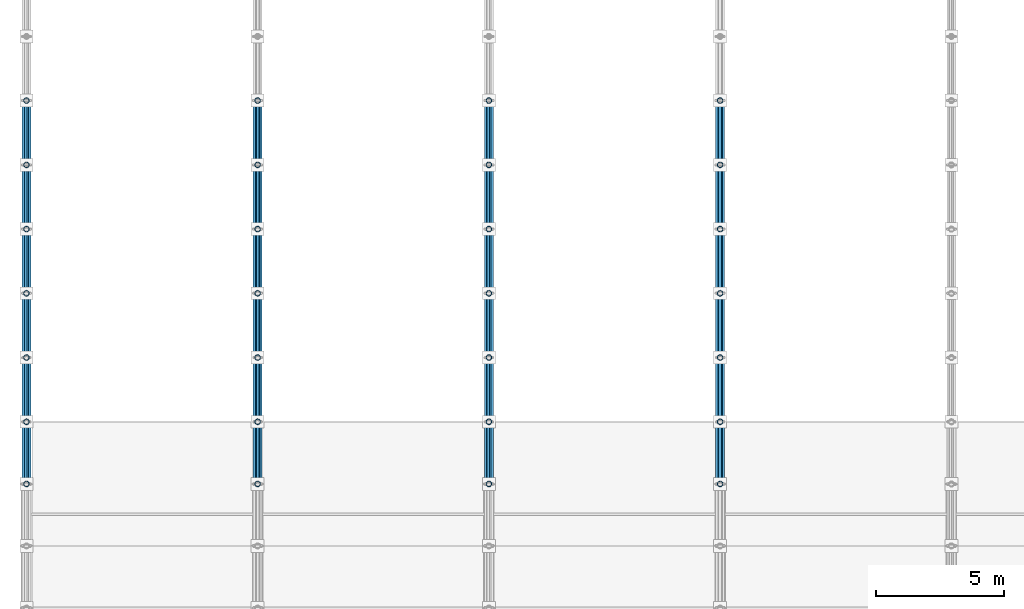
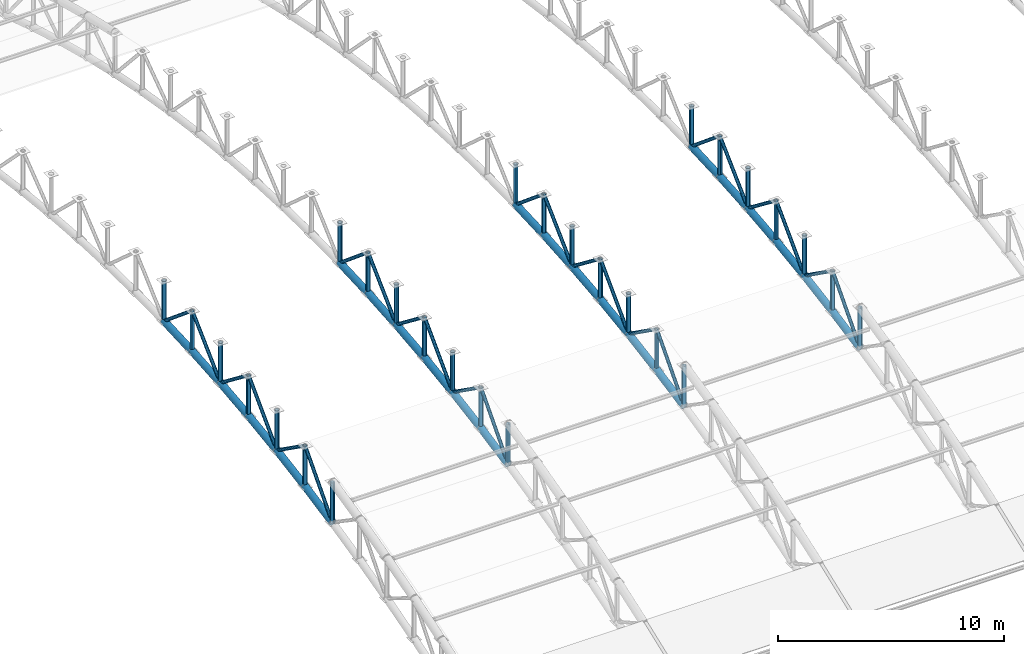
# One storey, part 17 of 195: 76 members.
"""IFC4 building model written with IfcOpenShell, lengths in metres."""

from ifc_helpers import new_model, si_unit, direction, frame, origin, origin_2d, place, context, subcontext, project, spatial, hollow_circle, extrude, material, material_profile, profile_set, type_object, element, save


model = new_model("IFC4")

# Units and contexts
model_context = context("Model", 3, precision=1e-05, world=origin(), true_north=direction((0.0, 1.0)))
body_context = subcontext(model_context, "Body", "Model", "MODEL_VIEW")
ifc_project = project(units=[si_unit("LENGTHUNIT", "METRE"), si_unit("AREAUNIT", "SQUARE_METRE"), si_unit("VOLUMEUNIT", "CUBIC_METRE"), si_unit("PLANEANGLEUNIT", "RADIAN"), si_unit("MASSUNIT", "GRAM", prefix="KILO")], contexts=[model_context])

# Site, building, storey
site_placement = place(None, origin())
site = spatial("IfcSite", under=ifc_project, at=site_placement, CompositionType="ELEMENT")
building_placement = place(site_placement, origin())
building = spatial("IfcBuilding", under=site, at=building_placement, Name="Marlcrest Central Station", CompositionType="ELEMENT")
storey_placement = place(building_placement, frame((0.0, 0.0, 9.800048828125)))
storey = spatial("IfcBuildingStorey", under=building, at=storey_placement, Name="L02", CompositionType="ELEMENT", Elevation=9.800048828125)

# Members
ifc_material = material(Name="Steel S355", Category="steel")
ifc_material_profile_1 = material_profile(ifc_material, hollow_circle(Radius=0.177734375, WallThickness=0.01611328125, at=origin_2d()), Name="CHS 355.6x16")
ifc_profile_set_1 = profile_set([ifc_material_profile_1], Name="Steel S355")
member_type_1 = type_object("IfcMemberType", Name="AC-02", PredefinedType="CHORD", material=ifc_profile_set_1)
member_1_placement = place(storey_placement, frame((0.0, 48.580078125, 2.9169921875), z_axis=(0.0, 0.980359417961, 0.197219196874), x_axis=(-1.0, 0.0, 0.0)))
element("IfcMember", 1, at=member_1_placement, inside=storey, type_object=member_type_1, Name="mem-AC-02-L02-00084", PredefinedType="CHORD", context=body_context, shape_type="SweptSolid", body=[
    extrude(hollow_circle(Radius=0.177734375, WallThickness=0.01611328125, at=origin_2d()), origin(), (0.0, 0.0, 1.0), 2.468505859375),
])
member_2_placement = place(storey_placement, frame((0.0, 51.0, 3.40380859375), z_axis=(0.0, 0.98574109921, 0.168269086076), x_axis=(-1.0, 0.0, 0.0)))
element("IfcMember", 2, at=member_2_placement, inside=storey, type_object=member_type_1, Name="mem-AC-02-L02-00088", PredefinedType="CHORD", context=body_context, shape_type="SweptSolid", body=[
    extrude(hollow_circle(Radius=0.177734375, WallThickness=0.01611328125, at=origin_2d()), origin(), (0.0, 0.0, 1.0), 2.5361328125),
])
member_3_placement = place(storey_placement, frame((0.0, 53.5, 3.83056640625), z_axis=(0.0, 0.990402740232, 0.138211476152), x_axis=(-1.0, 0.0, 0.0)))
element("IfcMember", 3, at=member_3_placement, inside=storey, type_object=member_type_1, Name="mem-AC-02-L02-00092", PredefinedType="CHORD", context=body_context, shape_type="SweptSolid", body=[
    extrude(hollow_circle(Radius=0.177734375, WallThickness=0.01611328125, at=origin_2d()), origin(), (0.0, 0.0, 1.0), 2.524169921875),
])
member_4_placement = place(storey_placement, frame((0.0, 56.0, 4.179443359375), z_axis=(0.0, 0.994155341034, 0.107959056565), x_axis=(-1.0, 0.0, 0.0)))
element("IfcMember", 4, at=member_4_placement, inside=storey, type_object=member_type_1, Name="mem-AC-02-L02-00096", PredefinedType="CHORD", context=body_context, shape_type="SweptSolid", body=[
    extrude(hollow_circle(Radius=0.177734375, WallThickness=0.01611328125, at=origin_2d()), origin(), (0.0, 0.0, 1.0), 2.5146484375),
])
member_5_placement = place(storey_placement, frame((0.0, 58.5, 4.450927734375), z_axis=(0.0, 0.997007334767, 0.077307014043), x_axis=(-1.0, 0.0, 0.0)))
element("IfcMember", 5, at=member_5_placement, inside=storey, type_object=member_type_1, Name="mem-AC-02-L02-00100", PredefinedType="CHORD", context=body_context, shape_type="SweptSolid", body=[
    extrude(hollow_circle(Radius=0.177734375, WallThickness=0.01611328125, at=origin_2d()), origin(), (0.0, 0.0, 1.0), 2.507568359375),
])
member_6_placement = place(storey_placement, frame((0.0, 61.0, 4.644775390625), z_axis=(0.0, 0.998916819647, 0.046531574509), x_axis=(-1.0, 0.0, 0.0)))
element("IfcMember", 6, at=member_6_placement, inside=storey, type_object=member_type_1, Name="mem-AC-02-L02-00104", PredefinedType="CHORD", context=body_context, shape_type="SweptSolid", body=[
    extrude(hollow_circle(Radius=0.177734375, WallThickness=0.01611328125, at=origin_2d()), origin(), (0.0, 0.0, 1.0), 2.502685546875),
])
member_7_placement = place(storey_placement, frame((9.0, 48.580078125, 2.9169921875), z_axis=(0.0, 0.980359417961, 0.197219196874), x_axis=(-1.0, 0.0, 0.0)))
element("IfcMember", 7, at=member_7_placement, inside=storey, type_object=member_type_1, Name="mem-AC-02-L02-00200", PredefinedType="CHORD", context=body_context, shape_type="SweptSolid", body=[
    extrude(hollow_circle(Radius=0.177734375, WallThickness=0.01611328125, at=origin_2d()), origin(), (0.0, 0.0, 1.0), 2.468505859375),
])
member_8_placement = place(storey_placement, frame((9.0, 51.0, 3.40380859375), z_axis=(0.0, 0.98574109921, 0.168269086076), x_axis=(-1.0, 0.0, 0.0)))
element("IfcMember", 8, at=member_8_placement, inside=storey, type_object=member_type_1, Name="mem-AC-02-L02-00204", PredefinedType="CHORD", context=body_context, shape_type="SweptSolid", body=[
    extrude(hollow_circle(Radius=0.177734375, WallThickness=0.01611328125, at=origin_2d()), origin(), (0.0, 0.0, 1.0), 2.5361328125),
])
member_9_placement = place(storey_placement, frame((9.0, 53.5, 3.83056640625), z_axis=(0.0, 0.990402740232, 0.138211476152), x_axis=(-1.0, 0.0, 0.0)))
element("IfcMember", 9, at=member_9_placement, inside=storey, type_object=member_type_1, Name="mem-AC-02-L02-00208", PredefinedType="CHORD", context=body_context, shape_type="SweptSolid", body=[
    extrude(hollow_circle(Radius=0.177734375, WallThickness=0.01611328125, at=origin_2d()), origin(), (0.0, 0.0, 1.0), 2.524169921875),
])
member_10_placement = place(storey_placement, frame((9.0, 56.0, 4.179443359375), z_axis=(0.0, 0.994155341034, 0.107959056565), x_axis=(-1.0, 0.0, 0.0)))
element("IfcMember", 10, at=member_10_placement, inside=storey, type_object=member_type_1, Name="mem-AC-02-L02-00212", PredefinedType="CHORD", context=body_context, shape_type="SweptSolid", body=[
    extrude(hollow_circle(Radius=0.177734375, WallThickness=0.01611328125, at=origin_2d()), origin(), (0.0, 0.0, 1.0), 2.5146484375),
])
member_11_placement = place(storey_placement, frame((9.0, 58.5, 4.450927734375), z_axis=(0.0, 0.997007334767, 0.077307014043), x_axis=(-1.0, 0.0, 0.0)))
element("IfcMember", 11, at=member_11_placement, inside=storey, type_object=member_type_1, Name="mem-AC-02-L02-00216", PredefinedType="CHORD", context=body_context, shape_type="SweptSolid", body=[
    extrude(hollow_circle(Radius=0.177734375, WallThickness=0.01611328125, at=origin_2d()), origin(), (0.0, 0.0, 1.0), 2.507568359375),
])
member_12_placement = place(storey_placement, frame((9.0, 61.0, 4.644775390625), z_axis=(0.0, 0.998916819647, 0.046531574509), x_axis=(-1.0, 0.0, 0.0)))
element("IfcMember", 12, at=member_12_placement, inside=storey, type_object=member_type_1, Name="mem-AC-02-L02-00220", PredefinedType="CHORD", context=body_context, shape_type="SweptSolid", body=[
    extrude(hollow_circle(Radius=0.177734375, WallThickness=0.01611328125, at=origin_2d()), origin(), (0.0, 0.0, 1.0), 2.502685546875),
])
member_13_placement = place(storey_placement, frame((18.0, 48.580078125, 2.9169921875), z_axis=(0.0, 0.980359417961, 0.197219196874), x_axis=(-1.0, 0.0, 0.0)))
element("IfcMember", 13, at=member_13_placement, inside=storey, type_object=member_type_1, Name="mem-AC-02-L02-00316", PredefinedType="CHORD", context=body_context, shape_type="SweptSolid", body=[
    extrude(hollow_circle(Radius=0.177734375, WallThickness=0.01611328125, at=origin_2d()), origin(), (0.0, 0.0, 1.0), 2.468505859375),
])
member_14_placement = place(storey_placement, frame((18.0, 51.0, 3.40380859375), z_axis=(0.0, 0.98574109921, 0.168269086076), x_axis=(-1.0, 0.0, 0.0)))
element("IfcMember", 14, at=member_14_placement, inside=storey, type_object=member_type_1, Name="mem-AC-02-L02-00320", PredefinedType="CHORD", context=body_context, shape_type="SweptSolid", body=[
    extrude(hollow_circle(Radius=0.177734375, WallThickness=0.01611328125, at=origin_2d()), origin(), (0.0, 0.0, 1.0), 2.5361328125),
])
member_15_placement = place(storey_placement, frame((18.0, 53.5, 3.83056640625), z_axis=(0.0, 0.990402740232, 0.138211476152), x_axis=(-1.0, 0.0, 0.0)))
element("IfcMember", 15, at=member_15_placement, inside=storey, type_object=member_type_1, Name="mem-AC-02-L02-00324", PredefinedType="CHORD", context=body_context, shape_type="SweptSolid", body=[
    extrude(hollow_circle(Radius=0.177734375, WallThickness=0.01611328125, at=origin_2d()), origin(), (0.0, 0.0, 1.0), 2.524169921875),
])
member_16_placement = place(storey_placement, frame((18.0, 56.0, 4.179443359375), z_axis=(0.0, 0.994155341034, 0.107959056565), x_axis=(-1.0, 0.0, 0.0)))
element("IfcMember", 16, at=member_16_placement, inside=storey, type_object=member_type_1, Name="mem-AC-02-L02-00328", PredefinedType="CHORD", context=body_context, shape_type="SweptSolid", body=[
    extrude(hollow_circle(Radius=0.177734375, WallThickness=0.01611328125, at=origin_2d()), origin(), (0.0, 0.0, 1.0), 2.5146484375),
])
member_17_placement = place(storey_placement, frame((18.0, 58.5, 4.450927734375), z_axis=(0.0, 0.997007334767, 0.077307014043), x_axis=(-1.0, 0.0, 0.0)))
element("IfcMember", 17, at=member_17_placement, inside=storey, type_object=member_type_1, Name="mem-AC-02-L02-00332", PredefinedType="CHORD", context=body_context, shape_type="SweptSolid", body=[
    extrude(hollow_circle(Radius=0.177734375, WallThickness=0.01611328125, at=origin_2d()), origin(), (0.0, 0.0, 1.0), 2.507568359375),
])
member_18_placement = place(storey_placement, frame((18.0, 61.0, 4.644775390625), z_axis=(0.0, 0.998916819647, 0.046531574509), x_axis=(-1.0, 0.0, 0.0)))
element("IfcMember", 18, at=member_18_placement, inside=storey, type_object=member_type_1, Name="mem-AC-02-L02-00336", PredefinedType="CHORD", context=body_context, shape_type="SweptSolid", body=[
    extrude(hollow_circle(Radius=0.177734375, WallThickness=0.01611328125, at=origin_2d()), origin(), (0.0, 0.0, 1.0), 2.502685546875),
])
member_19_placement = place(storey_placement, frame((27.0, 48.580078125, 2.9169921875), z_axis=(0.0, 0.980359417961, 0.197219196874), x_axis=(-1.0, 0.0, 0.0)))
element("IfcMember", 19, at=member_19_placement, inside=storey, type_object=member_type_1, Name="mem-AC-02-L02-00432", PredefinedType="CHORD", context=body_context, shape_type="SweptSolid", body=[
    extrude(hollow_circle(Radius=0.177734375, WallThickness=0.01611328125, at=origin_2d()), origin(), (0.0, 0.0, 1.0), 2.468505859375),
])
member_20_placement = place(storey_placement, frame((27.0, 51.0, 3.40380859375), z_axis=(0.0, 0.98574109921, 0.168269086076), x_axis=(-1.0, 0.0, 0.0)))
element("IfcMember", 20, at=member_20_placement, inside=storey, type_object=member_type_1, Name="mem-AC-02-L02-00436", PredefinedType="CHORD", context=body_context, shape_type="SweptSolid", body=[
    extrude(hollow_circle(Radius=0.177734375, WallThickness=0.01611328125, at=origin_2d()), origin(), (0.0, 0.0, 1.0), 2.5361328125),
])
member_21_placement = place(storey_placement, frame((27.0, 53.5, 3.83056640625), z_axis=(0.0, 0.990402740232, 0.138211476152), x_axis=(-1.0, 0.0, 0.0)))
element("IfcMember", 21, at=member_21_placement, inside=storey, type_object=member_type_1, Name="mem-AC-02-L02-00440", PredefinedType="CHORD", context=body_context, shape_type="SweptSolid", body=[
    extrude(hollow_circle(Radius=0.177734375, WallThickness=0.01611328125, at=origin_2d()), origin(), (0.0, 0.0, 1.0), 2.524169921875),
])
member_22_placement = place(storey_placement, frame((27.0, 56.0, 4.179443359375), z_axis=(0.0, 0.994155341034, 0.107959056565), x_axis=(-1.0, 0.0, 0.0)))
element("IfcMember", 22, at=member_22_placement, inside=storey, type_object=member_type_1, Name="mem-AC-02-L02-00444", PredefinedType="CHORD", context=body_context, shape_type="SweptSolid", body=[
    extrude(hollow_circle(Radius=0.177734375, WallThickness=0.01611328125, at=origin_2d()), origin(), (0.0, 0.0, 1.0), 2.5146484375),
])
member_23_placement = place(storey_placement, frame((27.0, 58.5, 4.450927734375), z_axis=(0.0, 0.997007334767, 0.077307014043), x_axis=(-1.0, 0.0, 0.0)))
element("IfcMember", 23, at=member_23_placement, inside=storey, type_object=member_type_1, Name="mem-AC-02-L02-00448", PredefinedType="CHORD", context=body_context, shape_type="SweptSolid", body=[
    extrude(hollow_circle(Radius=0.177734375, WallThickness=0.01611328125, at=origin_2d()), origin(), (0.0, 0.0, 1.0), 2.507568359375),
])
member_24_placement = place(storey_placement, frame((27.0, 61.0, 4.644775390625), z_axis=(0.0, 0.998916819647, 0.046531574509), x_axis=(-1.0, 0.0, 0.0)))
element("IfcMember", 24, at=member_24_placement, inside=storey, type_object=member_type_1, Name="mem-AC-02-L02-00452", PredefinedType="CHORD", context=body_context, shape_type="SweptSolid", body=[
    extrude(hollow_circle(Radius=0.177734375, WallThickness=0.01611328125, at=origin_2d()), origin(), (0.0, 0.0, 1.0), 2.502685546875),
])
ifc_material_profile_2 = material_profile(ifc_material, hollow_circle(Radius=0.084228515625, WallThickness=0.010009765625, at=origin_2d()), Name="CHS 168.3x10")
ifc_profile_set_2 = profile_set([ifc_material_profile_2], Name="Steel S355")
member_type_2 = type_object("IfcMemberType", Name="AD-01", PredefinedType="BRACE", material=ifc_profile_set_2)
member_25_placement = place(storey_placement, frame((0.0, 48.580078125, 2.9169921875), z_axis=(0.0, 0.669244457479, 0.743042297675), x_axis=(-1.0, 0.0, 0.0)))
element("IfcMember", 25, at=member_25_placement, inside=storey, type_object=member_type_2, Name="mem-AD-01-L02-00086", PredefinedType="BRACE", context=body_context, shape_type="SweptSolid", body=[
    extrude(hollow_circle(Radius=0.084228515625, WallThickness=0.010009765625, at=origin_2d()), origin(), (0.0, 0.0, 1.0), 3.615966796875),
])
member_26_placement = place(storey_placement, frame((0.0, 51.0, 5.603759765625), z_axis=(0.0, 0.815661132754, -0.57852996164), x_axis=(-1.0, 0.0, 0.0)))
element("IfcMember", 26, at=member_26_placement, inside=storey, type_object=member_type_2, Name="mem-AD-01-L02-00090", PredefinedType="BRACE", context=body_context, shape_type="SweptSolid", body=[
    extrude(hollow_circle(Radius=0.084228515625, WallThickness=0.010009765625, at=origin_2d()), origin(), (0.0, 0.0, 1.0), 3.06494140625),
])
member_27_placement = place(storey_placement, frame((0.0, 53.5, 3.83056640625), z_axis=(0.0, 0.70023547796, 0.713911952139), x_axis=(-1.0, 0.0, 0.0)))
element("IfcMember", 27, at=member_27_placement, inside=storey, type_object=member_type_2, Name="mem-AD-01-L02-00094", PredefinedType="BRACE", context=body_context, shape_type="SweptSolid", body=[
    extrude(hollow_circle(Radius=0.084228515625, WallThickness=0.010009765625, at=origin_2d()), origin(), (0.0, 0.0, 1.0), 3.5703125),
])
member_28_placement = place(storey_placement, frame((0.0, 56.0, 6.37939453125), z_axis=(0.0, 0.791798282026, -0.610782678684), x_axis=(-1.0, 0.0, 0.0)))
element("IfcMember", 28, at=member_28_placement, inside=storey, type_object=member_type_2, Name="mem-AD-01-L02-00098", PredefinedType="BRACE", context=body_context, shape_type="SweptSolid", body=[
    extrude(hollow_circle(Radius=0.084228515625, WallThickness=0.010009765625, at=origin_2d()), origin(), (0.0, 0.0, 1.0), 3.157470703125),
])
member_29_placement = place(storey_placement, frame((0.0, 58.5, 4.450927734375), z_axis=(0.0, 0.722246537655, 0.691635698071), x_axis=(-1.0, 0.0, 0.0)))
element("IfcMember", 29, at=member_29_placement, inside=storey, type_object=member_type_2, Name="mem-AD-01-L02-00102", PredefinedType="BRACE", context=body_context, shape_type="SweptSolid", body=[
    extrude(hollow_circle(Radius=0.084228515625, WallThickness=0.010009765625, at=origin_2d()), origin(), (0.0, 0.0, 1.0), 3.46142578125),
])
member_30_placement = place(storey_placement, frame((0.0, 61.0, 6.844970703125), z_axis=(0.0, 0.768159787854, -0.640258182552), x_axis=(-1.0, 0.0, 0.0)))
element("IfcMember", 30, at=member_30_placement, inside=storey, type_object=member_type_2, Name="mem-AD-01-L02-00106", PredefinedType="BRACE", context=body_context, shape_type="SweptSolid", body=[
    extrude(hollow_circle(Radius=0.084228515625, WallThickness=0.010009765625, at=origin_2d()), origin(), (0.0, 0.0, 1.0), 3.254638671875),
])
member_31_placement = place(storey_placement, frame((9.0, 48.580078125, 2.9169921875), z_axis=(0.0, 0.669244457479, 0.743042297675), x_axis=(-1.0, 0.0, 0.0)))
element("IfcMember", 31, at=member_31_placement, inside=storey, type_object=member_type_2, Name="mem-AD-01-L02-00202", PredefinedType="BRACE", context=body_context, shape_type="SweptSolid", body=[
    extrude(hollow_circle(Radius=0.084228515625, WallThickness=0.010009765625, at=origin_2d()), origin(), (0.0, 0.0, 1.0), 3.615966796875),
])
member_32_placement = place(storey_placement, frame((9.0, 51.0, 5.603759765625), z_axis=(0.0, 0.815661132754, -0.57852996164), x_axis=(-1.0, 0.0, 0.0)))
element("IfcMember", 32, at=member_32_placement, inside=storey, type_object=member_type_2, Name="mem-AD-01-L02-00206", PredefinedType="BRACE", context=body_context, shape_type="SweptSolid", body=[
    extrude(hollow_circle(Radius=0.084228515625, WallThickness=0.010009765625, at=origin_2d()), origin(), (0.0, 0.0, 1.0), 3.06494140625),
])
member_33_placement = place(storey_placement, frame((9.0, 53.5, 3.83056640625), z_axis=(0.0, 0.70023547796, 0.713911952139), x_axis=(-1.0, 0.0, 0.0)))
element("IfcMember", 33, at=member_33_placement, inside=storey, type_object=member_type_2, Name="mem-AD-01-L02-00210", PredefinedType="BRACE", context=body_context, shape_type="SweptSolid", body=[
    extrude(hollow_circle(Radius=0.084228515625, WallThickness=0.010009765625, at=origin_2d()), origin(), (0.0, 0.0, 1.0), 3.5703125),
])
member_34_placement = place(storey_placement, frame((9.0, 56.0, 6.37939453125), z_axis=(0.0, 0.791798282026, -0.610782678684), x_axis=(-1.0, 0.0, 0.0)))
element("IfcMember", 34, at=member_34_placement, inside=storey, type_object=member_type_2, Name="mem-AD-01-L02-00214", PredefinedType="BRACE", context=body_context, shape_type="SweptSolid", body=[
    extrude(hollow_circle(Radius=0.084228515625, WallThickness=0.010009765625, at=origin_2d()), origin(), (0.0, 0.0, 1.0), 3.157470703125),
])
member_35_placement = place(storey_placement, frame((9.0, 58.5, 4.450927734375), z_axis=(0.0, 0.722246537655, 0.691635698071), x_axis=(-1.0, 0.0, 0.0)))
element("IfcMember", 35, at=member_35_placement, inside=storey, type_object=member_type_2, Name="mem-AD-01-L02-00218", PredefinedType="BRACE", context=body_context, shape_type="SweptSolid", body=[
    extrude(hollow_circle(Radius=0.084228515625, WallThickness=0.010009765625, at=origin_2d()), origin(), (0.0, 0.0, 1.0), 3.46142578125),
])
member_36_placement = place(storey_placement, frame((9.0, 61.0, 6.844970703125), z_axis=(0.0, 0.768159787854, -0.640258182552), x_axis=(-1.0, 0.0, 0.0)))
element("IfcMember", 36, at=member_36_placement, inside=storey, type_object=member_type_2, Name="mem-AD-01-L02-00222", PredefinedType="BRACE", context=body_context, shape_type="SweptSolid", body=[
    extrude(hollow_circle(Radius=0.084228515625, WallThickness=0.010009765625, at=origin_2d()), origin(), (0.0, 0.0, 1.0), 3.254638671875),
])
member_37_placement = place(storey_placement, frame((18.0, 48.580078125, 2.9169921875), z_axis=(0.0, 0.669244457479, 0.743042297675), x_axis=(-1.0, 0.0, 0.0)))
element("IfcMember", 37, at=member_37_placement, inside=storey, type_object=member_type_2, Name="mem-AD-01-L02-00318", PredefinedType="BRACE", context=body_context, shape_type="SweptSolid", body=[
    extrude(hollow_circle(Radius=0.084228515625, WallThickness=0.010009765625, at=origin_2d()), origin(), (0.0, 0.0, 1.0), 3.615966796875),
])
member_38_placement = place(storey_placement, frame((18.0, 51.0, 5.603759765625), z_axis=(0.0, 0.815661132754, -0.57852996164), x_axis=(-1.0, 0.0, 0.0)))
element("IfcMember", 38, at=member_38_placement, inside=storey, type_object=member_type_2, Name="mem-AD-01-L02-00322", PredefinedType="BRACE", context=body_context, shape_type="SweptSolid", body=[
    extrude(hollow_circle(Radius=0.084228515625, WallThickness=0.010009765625, at=origin_2d()), origin(), (0.0, 0.0, 1.0), 3.06494140625),
])
member_39_placement = place(storey_placement, frame((18.0, 53.5, 3.83056640625), z_axis=(0.0, 0.70023547796, 0.713911952139), x_axis=(-1.0, 0.0, 0.0)))
element("IfcMember", 39, at=member_39_placement, inside=storey, type_object=member_type_2, Name="mem-AD-01-L02-00326", PredefinedType="BRACE", context=body_context, shape_type="SweptSolid", body=[
    extrude(hollow_circle(Radius=0.084228515625, WallThickness=0.010009765625, at=origin_2d()), origin(), (0.0, 0.0, 1.0), 3.5703125),
])
member_40_placement = place(storey_placement, frame((18.0, 56.0, 6.37939453125), z_axis=(0.0, 0.791798282026, -0.610782678684), x_axis=(-1.0, 0.0, 0.0)))
element("IfcMember", 40, at=member_40_placement, inside=storey, type_object=member_type_2, Name="mem-AD-01-L02-00330", PredefinedType="BRACE", context=body_context, shape_type="SweptSolid", body=[
    extrude(hollow_circle(Radius=0.084228515625, WallThickness=0.010009765625, at=origin_2d()), origin(), (0.0, 0.0, 1.0), 3.157470703125),
])
member_41_placement = place(storey_placement, frame((18.0, 58.5, 4.450927734375), z_axis=(0.0, 0.722246537655, 0.691635698071), x_axis=(-1.0, 0.0, 0.0)))
element("IfcMember", 41, at=member_41_placement, inside=storey, type_object=member_type_2, Name="mem-AD-01-L02-00334", PredefinedType="BRACE", context=body_context, shape_type="SweptSolid", body=[
    extrude(hollow_circle(Radius=0.084228515625, WallThickness=0.010009765625, at=origin_2d()), origin(), (0.0, 0.0, 1.0), 3.46142578125),
])
member_42_placement = place(storey_placement, frame((18.0, 61.0, 6.844970703125), z_axis=(0.0, 0.768159787854, -0.640258182552), x_axis=(-1.0, 0.0, 0.0)))
element("IfcMember", 42, at=member_42_placement, inside=storey, type_object=member_type_2, Name="mem-AD-01-L02-00338", PredefinedType="BRACE", context=body_context, shape_type="SweptSolid", body=[
    extrude(hollow_circle(Radius=0.084228515625, WallThickness=0.010009765625, at=origin_2d()), origin(), (0.0, 0.0, 1.0), 3.254638671875),
])
member_43_placement = place(storey_placement, frame((27.0, 48.580078125, 2.9169921875), z_axis=(0.0, 0.669244457479, 0.743042297675), x_axis=(-1.0, 0.0, 0.0)))
element("IfcMember", 43, at=member_43_placement, inside=storey, type_object=member_type_2, Name="mem-AD-01-L02-00434", PredefinedType="BRACE", context=body_context, shape_type="SweptSolid", body=[
    extrude(hollow_circle(Radius=0.084228515625, WallThickness=0.010009765625, at=origin_2d()), origin(), (0.0, 0.0, 1.0), 3.615966796875),
])
member_44_placement = place(storey_placement, frame((27.0, 51.0, 5.603759765625), z_axis=(0.0, 0.815661132754, -0.57852996164), x_axis=(-1.0, 0.0, 0.0)))
element("IfcMember", 44, at=member_44_placement, inside=storey, type_object=member_type_2, Name="mem-AD-01-L02-00438", PredefinedType="BRACE", context=body_context, shape_type="SweptSolid", body=[
    extrude(hollow_circle(Radius=0.084228515625, WallThickness=0.010009765625, at=origin_2d()), origin(), (0.0, 0.0, 1.0), 3.06494140625),
])
member_45_placement = place(storey_placement, frame((27.0, 53.5, 3.83056640625), z_axis=(0.0, 0.70023547796, 0.713911952139), x_axis=(-1.0, 0.0, 0.0)))
element("IfcMember", 45, at=member_45_placement, inside=storey, type_object=member_type_2, Name="mem-AD-01-L02-00442", PredefinedType="BRACE", context=body_context, shape_type="SweptSolid", body=[
    extrude(hollow_circle(Radius=0.084228515625, WallThickness=0.010009765625, at=origin_2d()), origin(), (0.0, 0.0, 1.0), 3.5703125),
])
member_46_placement = place(storey_placement, frame((27.0, 56.0, 6.37939453125), z_axis=(0.0, 0.791798282026, -0.610782678684), x_axis=(-1.0, 0.0, 0.0)))
element("IfcMember", 46, at=member_46_placement, inside=storey, type_object=member_type_2, Name="mem-AD-01-L02-00446", PredefinedType="BRACE", context=body_context, shape_type="SweptSolid", body=[
    extrude(hollow_circle(Radius=0.084228515625, WallThickness=0.010009765625, at=origin_2d()), origin(), (0.0, 0.0, 1.0), 3.157470703125),
])
member_47_placement = place(storey_placement, frame((27.0, 58.5, 4.450927734375), z_axis=(0.0, 0.722246537655, 0.691635698071), x_axis=(-1.0, 0.0, 0.0)))
element("IfcMember", 47, at=member_47_placement, inside=storey, type_object=member_type_2, Name="mem-AD-01-L02-00450", PredefinedType="BRACE", context=body_context, shape_type="SweptSolid", body=[
    extrude(hollow_circle(Radius=0.084228515625, WallThickness=0.010009765625, at=origin_2d()), origin(), (0.0, 0.0, 1.0), 3.46142578125),
])
member_48_placement = place(storey_placement, frame((27.0, 61.0, 6.844970703125), z_axis=(0.0, 0.768159787854, -0.640258182552), x_axis=(-1.0, 0.0, 0.0)))
element("IfcMember", 48, at=member_48_placement, inside=storey, type_object=member_type_2, Name="mem-AD-01-L02-00454", PredefinedType="BRACE", context=body_context, shape_type="SweptSolid", body=[
    extrude(hollow_circle(Radius=0.084228515625, WallThickness=0.010009765625, at=origin_2d()), origin(), (0.0, 0.0, 1.0), 3.254638671875),
])
ifc_material_profile_3 = material_profile(ifc_material, hollow_circle(Radius=0.109619140625, WallThickness=0.012451171875, at=origin_2d()), Name="CHS 219.1x12.5")
ifc_profile_set_3 = profile_set([ifc_material_profile_3], Name="Steel S355")
member_type_3 = type_object("IfcMemberType", Name="AP-01", PredefinedType="POST", material=ifc_profile_set_3)
for number, where, z_axis, x_axis, name in (
    (49, (0.0, 48.580078125, 2.9169921875), (0.0, 0.0, 1.0), (1.0, 0.0, 0.0), "mem-AP-01-L02-00085"),
    (50, (0.0, 51.0, 3.40380859375), (0.0, 0.0, 1.0), (1.0, 0.0, 0.0), "mem-AP-01-L02-00089"),
    (51, (0.0, 53.5, 3.83056640625), (0.0, 0.0, 1.0), (1.0, 0.0, 0.0), "mem-AP-01-L02-00093"),
    (52, (0.0, 56.0, 4.179443359375), (0.0, 0.0, 1.0), (1.0, 0.0, 0.0), "mem-AP-01-L02-00097"),
    (53, (0.0, 58.5, 4.450927734375), (0.0, 0.0, 1.0), (1.0, 0.0, 0.0), "mem-AP-01-L02-00101"),
):
    element("IfcMember", number, at=place(storey_placement, frame(where, z_axis=z_axis, x_axis=x_axis)), inside=storey, type_object=member_type_3, Name=name, PredefinedType="POST", context=body_context, shape_type="SweptSolid", body=[
        extrude(hollow_circle(Radius=0.109619140625, WallThickness=0.012451171875, at=origin_2d()), origin(), (0.0, 0.0, 1.0), 2.199951171875),
    ])
member_49_placement = place(storey_placement, frame((0.0, 61.0, 4.644775390625), z_axis=(0.0, 0.0, 1.0), x_axis=(1.0, 0.0, 0.0)))
element("IfcMember", 54, at=member_49_placement, inside=storey, type_object=member_type_3, Name="mem-AP-01-L02-00105", PredefinedType="POST", context=body_context, shape_type="SweptSolid", body=[
    extrude(hollow_circle(Radius=0.109619140625, WallThickness=0.012451171875, at=origin_2d()), origin(), (0.0, 0.0, 1.0), 2.2001953125),
])
for number, where, z_axis, x_axis, name in (
    (55, (0.0, 63.5, 4.76123046875), (0.0, 0.0, 1.0), (1.0, 0.0, 0.0), "mem-AP-01-L02-00109"),
    (56, (9.0, 48.580078125, 2.9169921875), (0.0, 0.0, 1.0), (1.0, 0.0, 0.0), "mem-AP-01-L02-00201"),
    (57, (9.0, 51.0, 3.40380859375), (0.0, 0.0, 1.0), (1.0, 0.0, 0.0), "mem-AP-01-L02-00205"),
    (58, (9.0, 53.5, 3.83056640625), (0.0, 0.0, 1.0), (1.0, 0.0, 0.0), "mem-AP-01-L02-00209"),
    (59, (9.0, 56.0, 4.179443359375), (0.0, 0.0, 1.0), (1.0, 0.0, 0.0), "mem-AP-01-L02-00213"),
    (60, (9.0, 58.5, 4.450927734375), (0.0, 0.0, 1.0), (1.0, 0.0, 0.0), "mem-AP-01-L02-00217"),
):
    element("IfcMember", number, at=place(storey_placement, frame(where, z_axis=z_axis, x_axis=x_axis)), inside=storey, type_object=member_type_3, Name=name, PredefinedType="POST", context=body_context, shape_type="SweptSolid", body=[
        extrude(hollow_circle(Radius=0.109619140625, WallThickness=0.012451171875, at=origin_2d()), origin(), (0.0, 0.0, 1.0), 2.199951171875),
    ])
member_50_placement = place(storey_placement, frame((9.0, 61.0, 4.644775390625), z_axis=(0.0, 0.0, 1.0), x_axis=(1.0, 0.0, 0.0)))
element("IfcMember", 61, at=member_50_placement, inside=storey, type_object=member_type_3, Name="mem-AP-01-L02-00221", PredefinedType="POST", context=body_context, shape_type="SweptSolid", body=[
    extrude(hollow_circle(Radius=0.109619140625, WallThickness=0.012451171875, at=origin_2d()), origin(), (0.0, 0.0, 1.0), 2.2001953125),
])
for number, where, z_axis, x_axis, name in (
    (62, (9.0, 63.5, 4.76123046875), (0.0, 0.0, 1.0), (1.0, 0.0, 0.0), "mem-AP-01-L02-00225"),
    (63, (18.0, 48.580078125, 2.9169921875), (0.0, 0.0, 1.0), (1.0, 0.0, 0.0), "mem-AP-01-L02-00317"),
    (64, (18.0, 51.0, 3.40380859375), (0.0, 0.0, 1.0), (1.0, 0.0, 0.0), "mem-AP-01-L02-00321"),
    (65, (18.0, 53.5, 3.83056640625), (0.0, 0.0, 1.0), (1.0, 0.0, 0.0), "mem-AP-01-L02-00325"),
    (66, (18.0, 56.0, 4.179443359375), (0.0, 0.0, 1.0), (1.0, 0.0, 0.0), "mem-AP-01-L02-00329"),
    (67, (18.0, 58.5, 4.450927734375), (0.0, 0.0, 1.0), (1.0, 0.0, 0.0), "mem-AP-01-L02-00333"),
):
    element("IfcMember", number, at=place(storey_placement, frame(where, z_axis=z_axis, x_axis=x_axis)), inside=storey, type_object=member_type_3, Name=name, PredefinedType="POST", context=body_context, shape_type="SweptSolid", body=[
        extrude(hollow_circle(Radius=0.109619140625, WallThickness=0.012451171875, at=origin_2d()), origin(), (0.0, 0.0, 1.0), 2.199951171875),
    ])
member_51_placement = place(storey_placement, frame((18.0, 61.0, 4.644775390625), z_axis=(0.0, 0.0, 1.0), x_axis=(1.0, 0.0, 0.0)))
element("IfcMember", 68, at=member_51_placement, inside=storey, type_object=member_type_3, Name="mem-AP-01-L02-00337", PredefinedType="POST", context=body_context, shape_type="SweptSolid", body=[
    extrude(hollow_circle(Radius=0.109619140625, WallThickness=0.012451171875, at=origin_2d()), origin(), (0.0, 0.0, 1.0), 2.2001953125),
])
for number, where, z_axis, x_axis, name in (
    (69, (18.0, 63.5, 4.76123046875), (0.0, 0.0, 1.0), (1.0, 0.0, 0.0), "mem-AP-01-L02-00341"),
    (70, (27.0, 48.580078125, 2.9169921875), (0.0, 0.0, 1.0), (1.0, 0.0, 0.0), "mem-AP-01-L02-00433"),
    (71, (27.0, 51.0, 3.40380859375), (0.0, 0.0, 1.0), (1.0, 0.0, 0.0), "mem-AP-01-L02-00437"),
    (72, (27.0, 53.5, 3.83056640625), (0.0, 0.0, 1.0), (1.0, 0.0, 0.0), "mem-AP-01-L02-00441"),
    (73, (27.0, 56.0, 4.179443359375), (0.0, 0.0, 1.0), (1.0, 0.0, 0.0), "mem-AP-01-L02-00445"),
    (74, (27.0, 58.5, 4.450927734375), (0.0, 0.0, 1.0), (1.0, 0.0, 0.0), "mem-AP-01-L02-00449"),
):
    element("IfcMember", number, at=place(storey_placement, frame(where, z_axis=z_axis, x_axis=x_axis)), inside=storey, type_object=member_type_3, Name=name, PredefinedType="POST", context=body_context, shape_type="SweptSolid", body=[
        extrude(hollow_circle(Radius=0.109619140625, WallThickness=0.012451171875, at=origin_2d()), origin(), (0.0, 0.0, 1.0), 2.199951171875),
    ])
member_52_placement = place(storey_placement, frame((27.0, 61.0, 4.644775390625), z_axis=(0.0, 0.0, 1.0), x_axis=(1.0, 0.0, 0.0)))
element("IfcMember", 75, at=member_52_placement, inside=storey, type_object=member_type_3, Name="mem-AP-01-L02-00453", PredefinedType="POST", context=body_context, shape_type="SweptSolid", body=[
    extrude(hollow_circle(Radius=0.109619140625, WallThickness=0.012451171875, at=origin_2d()), origin(), (0.0, 0.0, 1.0), 2.2001953125),
])
member_53_placement = place(storey_placement, frame((27.0, 63.5, 4.76123046875), z_axis=(0.0, 0.0, 1.0), x_axis=(1.0, 0.0, 0.0)))
element("IfcMember", 76, at=member_53_placement, inside=storey, type_object=member_type_3, Name="mem-AP-01-L02-00457", PredefinedType="POST", context=body_context, shape_type="SweptSolid", body=[
    extrude(hollow_circle(Radius=0.109619140625, WallThickness=0.012451171875, at=origin_2d()), origin(), (0.0, 0.0, 1.0), 2.199951171875),
])

save(model, "model.ifc")
